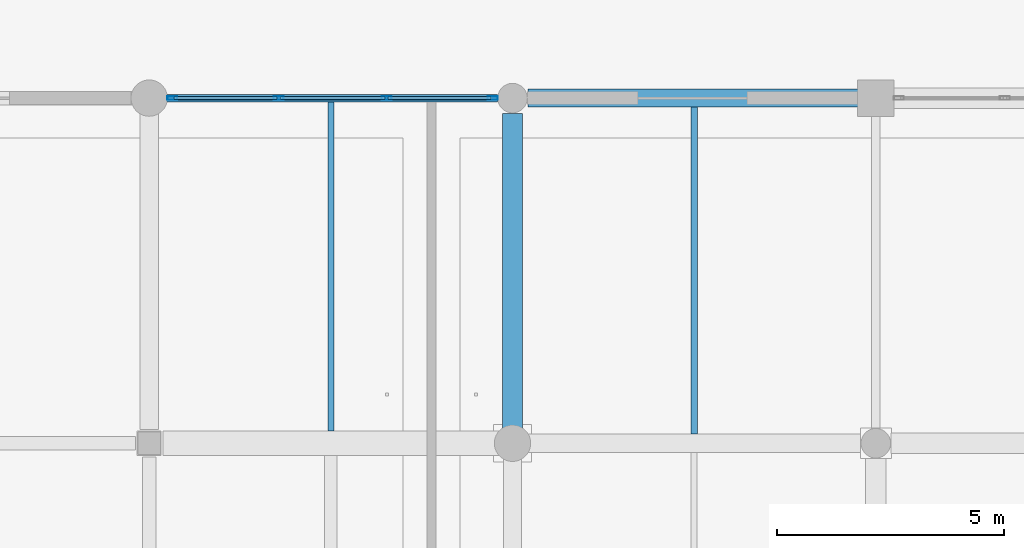
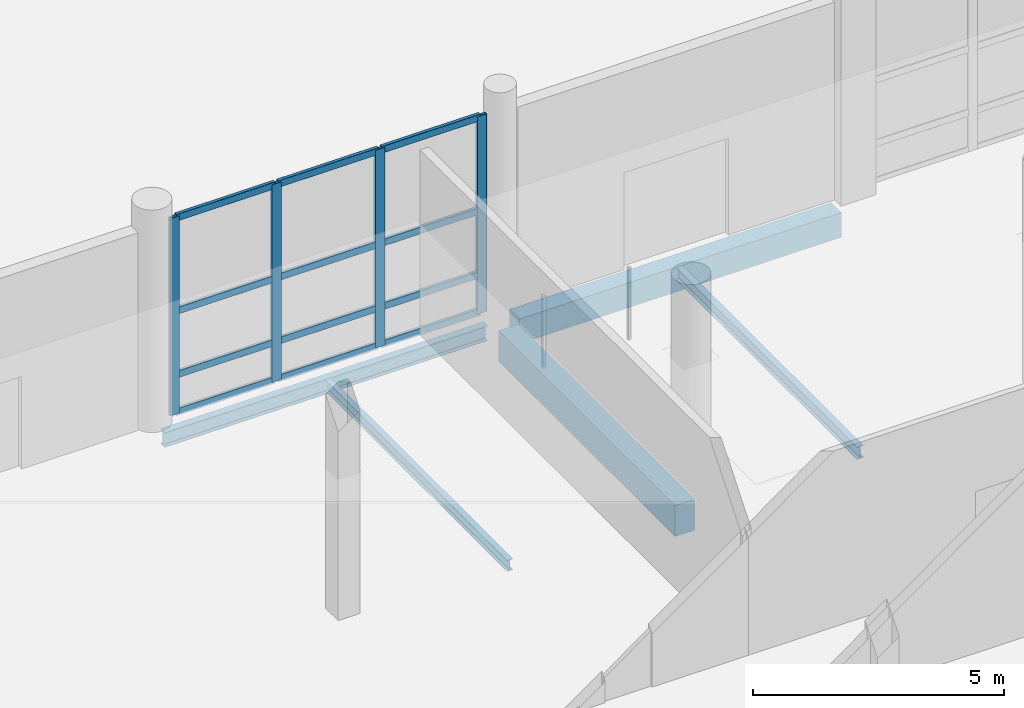
# One storey, part 19 of 126: 16 members, 5 beams, 1 element without a shape of its own.
"""IFC4 building model written with IfcOpenShell, lengths in metres."""

from ifc_helpers import new_model, si_unit, direction, frame, origin, origin_2d, place, context, subcontext, project, spatial, rectangle, hollow_rectangle, i_section, extrude, material, material_profile, profile_set, type_object, element, aggregate, save


model = new_model("IFC4")

# Units and contexts
model_context = context("Model", 3, precision=1e-05, world=origin(), true_north=direction((0.0, 1.0)))
body_context = subcontext(model_context, "Body", "Model", "MODEL_VIEW")
ifc_project = project(units=[si_unit("LENGTHUNIT", "METRE"), si_unit("AREAUNIT", "SQUARE_METRE"), si_unit("VOLUMEUNIT", "CUBIC_METRE"), si_unit("PLANEANGLEUNIT", "RADIAN"), si_unit("MASSUNIT", "GRAM", prefix="KILO")], contexts=[model_context])

# Site, building, storey
site_placement = place(None, origin())
site = spatial("IfcSite", under=ifc_project, at=site_placement, CompositionType="ELEMENT")
building_placement = place(site_placement, origin())
building = spatial("IfcBuilding", under=site, at=building_placement, Name="Khelvaren Railside Concert Hall", CompositionType="ELEMENT")
storey_placement = place(building_placement, origin())
storey = spatial("IfcBuildingStorey", under=building, at=storey_placement, Name="L00", CompositionType="ELEMENT", Elevation=0.0)

# Beam
ifc_material_1 = material(Name="Concrete C40/50", Category="concrete")
ifc_material_profile_1 = material_profile(ifc_material_1, rectangle(XDim=0.449951171875, YDim=0.75, at=origin_2d()), Name="RCB 450x750")
ifc_profile_set_1 = profile_set([ifc_material_profile_1], Name="Concrete C40/50")
beam_type_1 = type_object("IfcBeamType", Name="BM83", PredefinedType="BEAM", material=ifc_profile_set_1)
beam_1_placement = place(storey_placement, frame((88.0, 15.449951171875, -0.695068359375), z_axis=(0.0, 1.0, 0.0), x_axis=(-1.0, 0.0, 0.0)))
element("IfcBeam", 1, at=beam_1_placement, inside=storey, type_object=beam_type_1, Name="V3 L00 Beam Y4.3", PredefinedType="BEAM", context=body_context, shape_type="SweptSolid", body=[
    extrude(rectangle(XDim=0.449951171875, YDim=0.75, at=origin_2d()), origin(), (0.0, 0.0, 1.0), 7.01416015625),
])

# Curtain wall, members
ifc_material_2 = material(Name="Triple-glazed solar-control glass", Category="glass")
curtain_wall_type = type_object("IfcCurtainWallType", Name="CW14", PredefinedType="USERDEFINED", material=ifc_material_2)
curtain_wall_placement = place(storey_placement, origin())
curtain_wall = element("IfcCurtainWall", 2, at=curtain_wall_placement, inside=storey, type_object=curtain_wall_type, Name="Unitised Curtain Wall CW-V3-L00-N-80", ObjectType="UNITISED CURTAIN WALL", PredefinedType="USERDEFINED")
ifc_material_3 = material(Name="Anodised architectural aluminium 6063-T6", Category="aluminium")
ifc_material_profile_2 = material_profile(ifc_material_3, hollow_rectangle(XDim=0.074951171875, YDim=0.219970703125, WallThickness=0.0048828125, InnerFilletRadius=0.0029296875, OuterFilletRadius=0.0048828125, at=origin_2d()), Name="CWM 75x220x5")
ifc_profile_set_2 = profile_set([ifc_material_profile_2], Name="Anodised architectural aluminium 6063-T6")
member_type_1 = type_object("IfcMemberType", Name="CWM13", PredefinedType="MULLION", material=ifc_profile_set_2)
member_1_placement = place(storey_placement, frame((80.510009765625, 22.800048828125, 0.0), z_axis=(0.0, 0.0, 1.0), x_axis=(0.0, 1.0, 0.0)))
member_1 = element("IfcMember", 3, at=member_1_placement, type_object=member_type_1, Name="CW14 mullion 1", PredefinedType="MULLION", context=body_context, shape_type="SweptSolid", body=[
    extrude(hollow_rectangle(XDim=0.074951171875, YDim=0.219970703125, WallThickness=0.0048828125, InnerFilletRadius=0.0029296875, OuterFilletRadius=0.0048828125, at=origin_2d()), origin(), (0.0, 0.0, 1.0), 4.800048828125),
])
member_2_placement = place(storey_placement, frame((82.84912109375, 22.800048828125, 0.0), z_axis=(0.0, 0.0, 1.0), x_axis=(0.0, 1.0, 0.0)))
member_2 = element("IfcMember", 4, at=member_2_placement, type_object=member_type_1, Name="CW14 mullion 2", PredefinedType="MULLION", context=body_context, shape_type="SweptSolid", body=[
    extrude(hollow_rectangle(XDim=0.074951171875, YDim=0.219970703125, WallThickness=0.0048828125, InnerFilletRadius=0.0029296875, OuterFilletRadius=0.0048828125, at=origin_2d()), origin(), (0.0, 0.0, 1.0), 4.800048828125),
])
member_3_placement = place(storey_placement, frame((85.225830078125, 22.800048828125, 0.0), z_axis=(0.0, 0.0, 1.0), x_axis=(0.0, 1.0, 0.0)))
member_3 = element("IfcMember", 5, at=member_3_placement, type_object=member_type_1, Name="CW14 mullion 3", PredefinedType="MULLION", context=body_context, shape_type="SweptSolid", body=[
    extrude(hollow_rectangle(XDim=0.074951171875, YDim=0.219970703125, WallThickness=0.0048828125, InnerFilletRadius=0.0029296875, OuterFilletRadius=0.0048828125, at=origin_2d()), origin(), (0.0, 0.0, 1.0), 4.800048828125),
])
member_4_placement = place(storey_placement, frame((87.56494140625, 22.800048828125, 0.0), z_axis=(0.0, 0.0, 1.0), x_axis=(0.0, 1.0, 0.0)))
member_4 = element("IfcMember", 6, at=member_4_placement, type_object=member_type_1, Name="CW14 mullion 4", PredefinedType="MULLION", context=body_context, shape_type="SweptSolid", body=[
    extrude(hollow_rectangle(XDim=0.074951171875, YDim=0.219970703125, WallThickness=0.0048828125, InnerFilletRadius=0.0029296875, OuterFilletRadius=0.0048828125, at=origin_2d()), origin(), (0.0, 0.0, 1.0), 4.800048828125),
])
ifc_material_profile_3 = material_profile(ifc_material_3, hollow_rectangle(XDim=0.074951171875, YDim=0.1650390625, WallThickness=0.00390625, InnerFilletRadius=0.001953125, OuterFilletRadius=0.00390625, at=origin_2d()), Name="CWT 75x165x4")
ifc_profile_set_3 = profile_set([ifc_material_profile_3], Name="Anodised architectural aluminium 6063-T6")
member_type_2 = type_object("IfcMemberType", Name="CWT46", PredefinedType="USERDEFINED", material=ifc_profile_set_3)
member_5_placement = place(storey_placement, frame((80.547607421875, 22.800048828125, 0.03759765625), z_axis=(1.0, 0.0, 0.0), x_axis=(0.0, 1.0, 0.0)))
member_5 = element("IfcMember", 7, at=member_5_placement, type_object=member_type_2, Name="CW14 transom 1.1", ObjectType="TRANSOM", PredefinedType="USERDEFINED", context=body_context, shape_type="SweptSolid", body=[
    extrude(hollow_rectangle(XDim=0.074951171875, YDim=0.1650390625, WallThickness=0.00390625, InnerFilletRadius=0.001953125, OuterFilletRadius=0.00390625, at=origin_2d()), origin(), (0.0, 0.0, 1.0), 2.26416015625),
])
member_6_placement = place(storey_placement, frame((80.547607421875, 22.800048828125, 0.949951171875), z_axis=(1.0, 0.0, 0.0), x_axis=(0.0, 1.0, 0.0)))
member_6 = element("IfcMember", 8, at=member_6_placement, type_object=member_type_2, Name="CW14 transom 1.2", ObjectType="TRANSOM", PredefinedType="USERDEFINED", context=body_context, shape_type="SweptSolid", body=[
    extrude(hollow_rectangle(XDim=0.074951171875, YDim=0.1650390625, WallThickness=0.00390625, InnerFilletRadius=0.001953125, OuterFilletRadius=0.00390625, at=origin_2d()), origin(), (0.0, 0.0, 1.0), 2.26416015625),
])
member_7_placement = place(storey_placement, frame((80.547607421875, 22.800048828125, 2.49609375), z_axis=(1.0, 0.0, 0.0), x_axis=(0.0, 1.0, 0.0)))
member_7 = element("IfcMember", 9, at=member_7_placement, type_object=member_type_2, Name="CW14 transom 1.3", ObjectType="TRANSOM", PredefinedType="USERDEFINED", context=body_context, shape_type="SweptSolid", body=[
    extrude(hollow_rectangle(XDim=0.074951171875, YDim=0.1650390625, WallThickness=0.00390625, InnerFilletRadius=0.001953125, OuterFilletRadius=0.00390625, at=origin_2d()), origin(), (0.0, 0.0, 1.0), 2.26416015625),
])
member_8_placement = place(storey_placement, frame((80.547607421875, 22.800048828125, 4.762451171875), z_axis=(1.0, 0.0, 0.0), x_axis=(0.0, 1.0, 0.0)))
member_8 = element("IfcMember", 10, at=member_8_placement, type_object=member_type_2, Name="CW14 transom 1.4", ObjectType="TRANSOM", PredefinedType="USERDEFINED", context=body_context, shape_type="SweptSolid", body=[
    extrude(hollow_rectangle(XDim=0.074951171875, YDim=0.1650390625, WallThickness=0.00390625, InnerFilletRadius=0.001953125, OuterFilletRadius=0.00390625, at=origin_2d()), origin(), (0.0, 0.0, 1.0), 2.26416015625),
])
member_9_placement = place(storey_placement, frame((82.88671875, 22.800048828125, 0.03759765625), z_axis=(1.0, 0.0, 0.0), x_axis=(0.0, 1.0, 0.0)))
member_9 = element("IfcMember", 11, at=member_9_placement, type_object=member_type_2, Name="CW14 transom 2.1", ObjectType="TRANSOM", PredefinedType="USERDEFINED", context=body_context, shape_type="SweptSolid", body=[
    extrude(hollow_rectangle(XDim=0.074951171875, YDim=0.1650390625, WallThickness=0.00390625, InnerFilletRadius=0.001953125, OuterFilletRadius=0.00390625, at=origin_2d()), origin(), (0.0, 0.0, 1.0), 2.301513671875),
])
member_10_placement = place(storey_placement, frame((82.88671875, 22.800048828125, 0.949951171875), z_axis=(1.0, 0.0, 0.0), x_axis=(0.0, 1.0, 0.0)))
member_10 = element("IfcMember", 12, at=member_10_placement, type_object=member_type_2, Name="CW14 transom 2.2", ObjectType="TRANSOM", PredefinedType="USERDEFINED", context=body_context, shape_type="SweptSolid", body=[
    extrude(hollow_rectangle(XDim=0.074951171875, YDim=0.1650390625, WallThickness=0.00390625, InnerFilletRadius=0.001953125, OuterFilletRadius=0.00390625, at=origin_2d()), origin(), (0.0, 0.0, 1.0), 2.301513671875),
])
member_11_placement = place(storey_placement, frame((82.88671875, 22.800048828125, 2.49609375), z_axis=(1.0, 0.0, 0.0), x_axis=(0.0, 1.0, 0.0)))
member_11 = element("IfcMember", 13, at=member_11_placement, type_object=member_type_2, Name="CW14 transom 2.3", ObjectType="TRANSOM", PredefinedType="USERDEFINED", context=body_context, shape_type="SweptSolid", body=[
    extrude(hollow_rectangle(XDim=0.074951171875, YDim=0.1650390625, WallThickness=0.00390625, InnerFilletRadius=0.001953125, OuterFilletRadius=0.00390625, at=origin_2d()), origin(), (0.0, 0.0, 1.0), 2.301513671875),
])
member_12_placement = place(storey_placement, frame((82.88671875, 22.800048828125, 4.762451171875), z_axis=(1.0, 0.0, 0.0), x_axis=(0.0, 1.0, 0.0)))
member_12 = element("IfcMember", 14, at=member_12_placement, type_object=member_type_2, Name="CW14 transom 2.4", ObjectType="TRANSOM", PredefinedType="USERDEFINED", context=body_context, shape_type="SweptSolid", body=[
    extrude(hollow_rectangle(XDim=0.074951171875, YDim=0.1650390625, WallThickness=0.00390625, InnerFilletRadius=0.001953125, OuterFilletRadius=0.00390625, at=origin_2d()), origin(), (0.0, 0.0, 1.0), 2.301513671875),
])
member_13_placement = place(storey_placement, frame((85.263427734375, 22.800048828125, 0.03759765625), z_axis=(1.0, 0.0, 0.0), x_axis=(0.0, 1.0, 0.0)))
member_13 = element("IfcMember", 15, at=member_13_placement, type_object=member_type_2, Name="CW14 transom 3.1", ObjectType="TRANSOM", PredefinedType="USERDEFINED", context=body_context, shape_type="SweptSolid", body=[
    extrude(hollow_rectangle(XDim=0.074951171875, YDim=0.1650390625, WallThickness=0.00390625, InnerFilletRadius=0.001953125, OuterFilletRadius=0.00390625, at=origin_2d()), origin(), (0.0, 0.0, 1.0), 2.26416015625),
])
member_14_placement = place(storey_placement, frame((85.263427734375, 22.800048828125, 0.949951171875), z_axis=(1.0, 0.0, 0.0), x_axis=(0.0, 1.0, 0.0)))
member_14 = element("IfcMember", 16, at=member_14_placement, type_object=member_type_2, Name="CW14 transom 3.2", ObjectType="TRANSOM", PredefinedType="USERDEFINED", context=body_context, shape_type="SweptSolid", body=[
    extrude(hollow_rectangle(XDim=0.074951171875, YDim=0.1650390625, WallThickness=0.00390625, InnerFilletRadius=0.001953125, OuterFilletRadius=0.00390625, at=origin_2d()), origin(), (0.0, 0.0, 1.0), 2.26416015625),
])
member_15_placement = place(storey_placement, frame((85.263427734375, 22.800048828125, 2.49609375), z_axis=(1.0, 0.0, 0.0), x_axis=(0.0, 1.0, 0.0)))
member_15 = element("IfcMember", 17, at=member_15_placement, type_object=member_type_2, Name="CW14 transom 3.3", ObjectType="TRANSOM", PredefinedType="USERDEFINED", context=body_context, shape_type="SweptSolid", body=[
    extrude(hollow_rectangle(XDim=0.074951171875, YDim=0.1650390625, WallThickness=0.00390625, InnerFilletRadius=0.001953125, OuterFilletRadius=0.00390625, at=origin_2d()), origin(), (0.0, 0.0, 1.0), 2.26416015625),
])
member_16_placement = place(storey_placement, frame((85.263427734375, 22.800048828125, 4.762451171875), z_axis=(1.0, 0.0, 0.0), x_axis=(0.0, 1.0, 0.0)))
member_16 = element("IfcMember", 18, at=member_16_placement, type_object=member_type_2, Name="CW14 transom 3.4", ObjectType="TRANSOM", PredefinedType="USERDEFINED", context=body_context, shape_type="SweptSolid", body=[
    extrude(hollow_rectangle(XDim=0.074951171875, YDim=0.1650390625, WallThickness=0.00390625, InnerFilletRadius=0.001953125, OuterFilletRadius=0.00390625, at=origin_2d()), origin(), (0.0, 0.0, 1.0), 2.26416015625),
])
aggregate(curtain_wall, [member_1, member_2, member_3, member_4, member_5, member_6, member_7, member_8, member_9, member_10, member_11, member_12, member_13, member_14, member_15, member_16])

# Beams
ifc_material_4 = material(Name="Steel S355", Category="steel")
ifc_material_profile_4 = material_profile(ifc_material_4, i_section(OverallWidth=0.14990234375, OverallDepth=0.300048828125, WebThickness=0.007080078125, FlangeThickness=0.0107421875, FilletRadius=0.014892578125, at=origin_2d()), Name="IPE 300")
ifc_profile_set_4 = profile_set([ifc_material_profile_4], Name="Steel S355")
beam_type_2 = type_object("IfcBeamType", Name="JS26", PredefinedType="JOIST", material=ifc_profile_set_4)
beam_2_placement = place(storey_placement, frame((92.0, 15.39990234375, -0.469970703125), z_axis=(0.0, 1.0, 0.0), x_axis=(-1.0, 0.0, 0.0)))
element("IfcBeam", 19, at=beam_2_placement, inside=storey, type_object=beam_type_2, Name="V3 L00 Secondary Joist 4.3", PredefinedType="JOIST", context=body_context, shape_type="SweptSolid", body=[
    extrude(i_section(OverallWidth=0.14990234375, OverallDepth=0.300048828125, WebThickness=0.007080078125, FlangeThickness=0.0107421875, FilletRadius=0.014892578125, at=origin_2d()), origin(), (0.0, 0.0, 1.0), 7.2001953125),
])
ifc_material_profile_5 = material_profile(ifc_material_4, i_section(OverallWidth=0.135009765625, OverallDepth=0.27001953125, WebThickness=0.006591796875, FlangeThickness=0.01025390625, FilletRadius=0.014892578125, at=origin_2d()), Name="IPE 270")
ifc_profile_set_5 = profile_set([ifc_material_profile_5], Name="Steel S355")
beam_type_3 = type_object("IfcBeamType", Name="JS78", PredefinedType="JOIST", material=ifc_profile_set_5)
beam_3_placement = place(storey_placement, frame((84.0, 15.47509765625, -0.455078125), z_axis=(0.0, 1.0, 0.0), x_axis=(-1.0, 0.0, 0.0)))
element("IfcBeam", 20, at=beam_3_placement, inside=storey, type_object=beam_type_3, Name="V3 L00 Secondary Joist 3.3", PredefinedType="JOIST", context=body_context, shape_type="SweptSolid", body=[
    extrude(i_section(OverallWidth=0.135009765625, OverallDepth=0.27001953125, WebThickness=0.006591796875, FlangeThickness=0.01025390625, FilletRadius=0.014892578125, at=origin_2d()), origin(), (0.0, 0.0, 1.0), 7.239990234375),
])
ifc_material_profile_6 = material_profile(ifc_material_4, i_section(OverallWidth=0.169921875, OverallDepth=0.360107421875, WebThickness=0.008056640625, FlangeThickness=0.0126953125, FilletRadius=0.01806640625, at=origin_2d()), Name="IPE 360")
ifc_profile_set_6 = profile_set([ifc_material_profile_6], Name="Steel S355")
beam_type_4 = type_object("IfcBeamType", Name="SP74", PredefinedType="SPANDREL", material=ifc_profile_set_6)
beam_4_placement = place(storey_placement, frame((80.25, 22.800048828125, -0.5), z_axis=(1.0, 0.0, 0.0), x_axis=(0.0, 1.0, 0.0)))
element("IfcBeam", 21, at=beam_4_placement, inside=storey, type_object=beam_type_4, Name="V3 L00 Spandrel X4.3", PredefinedType="SPANDREL", context=body_context, shape_type="SweptSolid", body=[
    extrude(i_section(OverallWidth=0.169921875, OverallDepth=0.360107421875, WebThickness=0.008056640625, FlangeThickness=0.0126953125, FilletRadius=0.01806640625, at=origin_2d()), origin(), (0.0, 0.0, 1.0), 7.4140625),
])
ifc_material_profile_7 = material_profile(ifc_material_1, rectangle(XDim=0.39990234375, YDim=0.60009765625, at=origin_2d()), Name="RCB 400x600")
ifc_profile_set_7 = profile_set([ifc_material_profile_7], Name="Concrete C40/50")
beam_type_5 = type_object("IfcBeamType", Name="SP75", PredefinedType="SPANDREL", material=ifc_profile_set_7)
beam_5_placement = place(storey_placement, frame((88.3359375, 22.800048828125, -0.6201171875), z_axis=(1.0, 0.0, 0.0), x_axis=(0.0, 1.0, 0.0)))
element("IfcBeam", 22, at=beam_5_placement, inside=storey, type_object=beam_type_5, Name="V3 L00 Spandrel X4.4", PredefinedType="SPANDREL", context=body_context, shape_type="SweptSolid", body=[
    extrude(rectangle(XDim=0.39990234375, YDim=0.60009765625, at=origin_2d()), origin(), (0.0, 0.0, 1.0), 7.39111328125),
])

save(model, "model.ifc")
